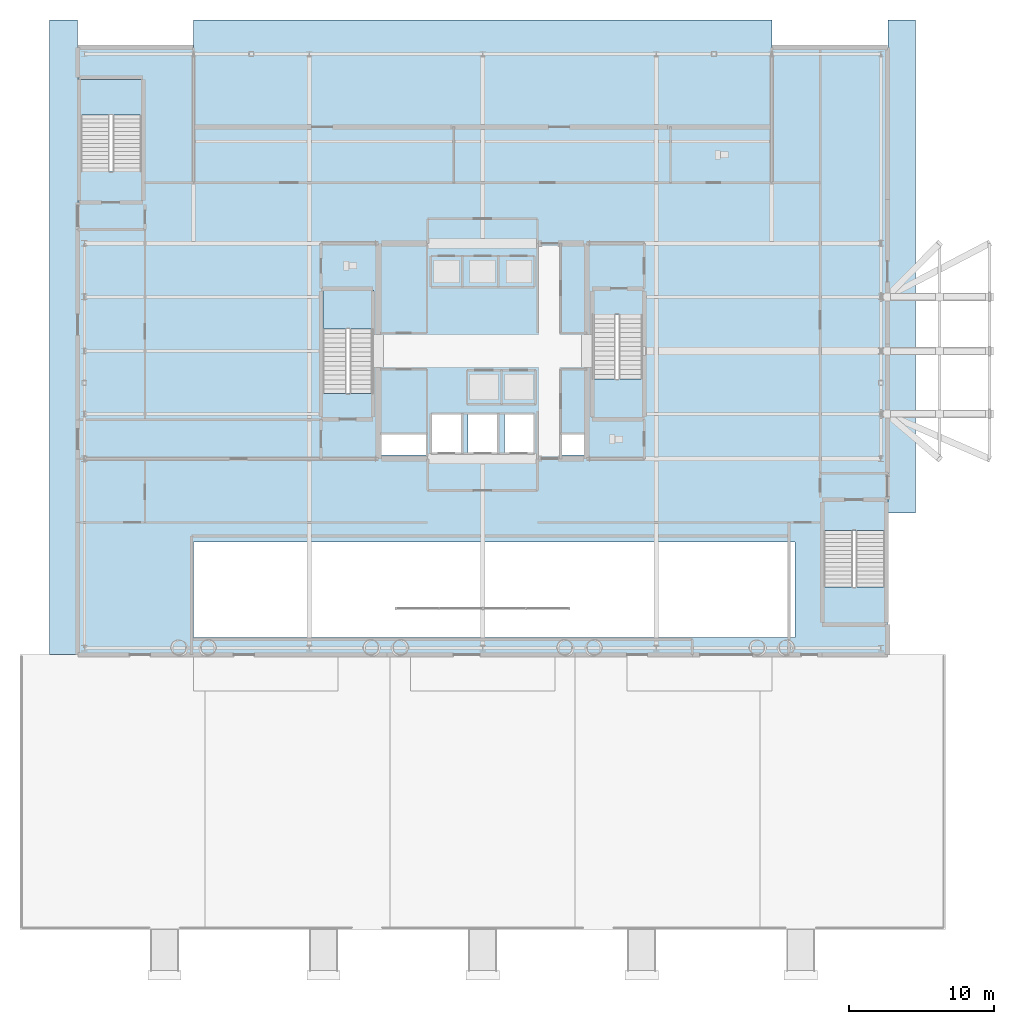
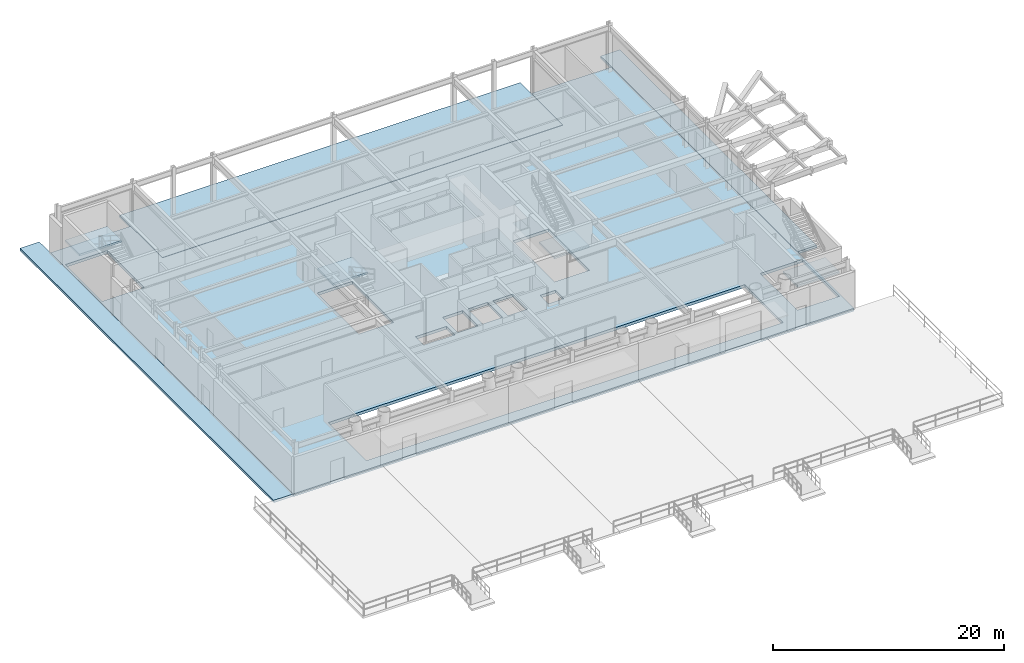
# One storey, part 9 of 19: 8 slabs, 4 elements without a shape of their own.
"""IFC4 building model written with IfcOpenShell, lengths in metres."""

from ifc_helpers import new_model, si_unit, direction, frame, origin, place, context, subcontext, project, spatial, polyline, outline, extrude, material, layer, layer_set, type_object, element, aggregate, save


model = new_model("IFC4")

# Units and contexts
model_context = context("Model", 3, precision=1e-05, world=origin(), true_north=direction((0.0, 1.0)))
body_context = subcontext(model_context, "Body", "Model", "MODEL_VIEW")
ifc_project = project(units=[si_unit("LENGTHUNIT", "METRE"), si_unit("AREAUNIT", "SQUARE_METRE"), si_unit("VOLUMEUNIT", "CUBIC_METRE"), si_unit("PLANEANGLEUNIT", "RADIAN"), si_unit("MASSUNIT", "GRAM", prefix="KILO")], contexts=[model_context])

# Site, building, storey
site_placement = place(None, origin())
site = spatial("IfcSite", under=ifc_project, at=site_placement, CompositionType="ELEMENT")
building_placement = place(site_placement, origin())
building = spatial("IfcBuilding", under=site, at=building_placement, Name="Veldorina Hangang Commons", CompositionType="ELEMENT")
storey_placement = place(building_placement, origin())
storey = spatial("IfcBuildingStorey", under=building, at=storey_placement, Name="L00", CompositionType="ELEMENT", Elevation=0.0)

# Slab
ifc_material_1 = material(Name="Concrete C45/55", Category="concrete")
ifc_layer_1 = layer(ifc_material_1, 0.300048828125)
ifc_layer_set_1 = layer_set([ifc_layer_1], Name="Concrete C45/55")
slab_type_1 = type_object("IfcSlabType", Name="SL-FLR-300", PredefinedType="FLOOR", material=ifc_layer_set_1)
slab_1_placement = place(storey_placement, frame((0.0, 0.0, -0.300048828125)))
element("IfcSlab", 1, at=slab_1_placement, inside=storey, type_object=slab_type_1, Name="L00 podium structural floor slab", PredefinedType="FLOOR", context=body_context, shape_type="SweptSolid", body=[
    extrude(outline(polyline([(4.0, 3.0), (60.0, 3.0), (60.0, 45.0), (52.0, 45.0), (52.0, 39.5), (12.0, 39.5), (12.0, 45.0), (4.0, 45.0), (4.0, 3.0)]), holes=[polyline([(20.949951171875, 21.05810546875), (20.949951171875, 28.199951171875), (24.449951171875, 28.199951171875), (24.449951171875, 21.05810546875), (20.949951171875, 21.05810546875)]), polyline([(43.050048828125, 26.5419921875), (43.050048828125, 19.39990234375), (39.550048828125, 19.39990234375), (39.550048828125, 26.5419921875), (43.050048828125, 26.5419921875)]), polyline([(4.199951171875, 36.407958984375), (4.199951171875, 42.800048828125), (8.39990234375, 42.800048828125), (8.39990234375, 36.407958984375), (4.199951171875, 36.407958984375)]), polyline([(59.800048828125, 11.592041015625), (59.800048828125, 5.199951171875), (55.60009765625, 5.199951171875), (55.60009765625, 11.592041015625), (59.800048828125, 11.592041015625)]), polyline([(28.5, 19.60009765625), (30.5, 19.60009765625), (30.5, 17.0), (28.5, 17.0), (28.5, 19.60009765625)]), polyline([(31.0, 19.60009765625), (33.0, 19.60009765625), (33.0, 17.0), (31.0, 17.0), (31.0, 19.60009765625)]), polyline([(33.5, 19.60009765625), (35.5, 19.60009765625), (35.5, 17.0), (33.5, 17.0), (33.5, 19.60009765625)]), polyline([(25.0, 18.25), (28.10009765625, 18.25), (28.10009765625, 16.800048828125), (25.0, 16.800048828125), (25.0, 18.25)]), polyline([(37.449951171875, 18.25), (39.0, 18.25), (39.0, 16.800048828125), (37.449951171875, 16.800048828125), (37.449951171875, 18.25)]), polyline([(12.0, 10.800048828125), (53.60009765625, 10.800048828125), (53.60009765625, 4.199951171875), (12.0, 4.199951171875), (12.0, 10.800048828125)])]), origin(), (0.0, 0.0, 1.0), 0.300048828125),
])

# Stair, slab
ifc_material_2 = material(Name="Concrete C40/50", Category="concrete")
stair_type_1 = type_object("IfcStairType", Name="STR-DOG-1650-30R", PredefinedType="HALF_TURN_STAIR", material=ifc_material_2)
stair_1_placement = place(storey_placement, origin())
stair_1 = element("IfcStair", 2, at=stair_1_placement, inside=storey, type_object=stair_type_1, Name="L00 Exit stair ST-1", PredefinedType="HALF_TURN_STAIR")
ifc_layer_2 = layer(ifc_material_2, 0.199951171875)
ifc_layer_set_2 = layer_set([ifc_layer_2], Name="Concrete C40/50")
slab_type_2 = type_object("IfcSlabType", Name="SL-LND-200", PredefinedType="LANDING", material=ifc_layer_set_2)
slab_2_placement = place(storey_placement, frame((0.0, 0.0, 2.39990234375)))
slab_2 = element("IfcSlab", 3, at=slab_2_placement, type_object=slab_type_2, Name="ST-1 landing 1", PredefinedType="LANDING", context=body_context, shape_type="SweptSolid", body=[
    extrude(outline(polyline([(24.449951171875, 25.530029296875), (24.449951171875, 28.199951171875), (20.949951171875, 28.199951171875), (20.949951171875, 25.530029296875), (24.449951171875, 25.530029296875)])), origin(), (0.0, 0.0, 1.0), 0.2001953125),
])
aggregate(stair_1, [slab_2])

stair_2_placement = place(storey_placement, origin())
stair_2 = element("IfcStair", 4, at=stair_2_placement, inside=storey, type_object=stair_type_1, Name="L00 Exit stair ST-2", PredefinedType="HALF_TURN_STAIR")
slab_3_placement = place(storey_placement, frame((0.0, 0.0, 2.39990234375)))
slab_3 = element("IfcSlab", 5, at=slab_3_placement, type_object=slab_type_2, Name="ST-2 landing 1", PredefinedType="LANDING", context=body_context, shape_type="SweptSolid", body=[
    extrude(outline(polyline([(39.550048828125, 22.070068359375), (39.550048828125, 19.39990234375), (43.050048828125, 19.39990234375), (43.050048828125, 22.070068359375), (39.550048828125, 22.070068359375)])), origin(), (0.0, 0.0, 1.0), 0.2001953125),
])
aggregate(stair_2, [slab_3])

stair_type_2 = type_object("IfcStairType", Name="STR-DOG-2000-30R", PredefinedType="HALF_TURN_STAIR", material=ifc_material_2)
stair_3_placement = place(storey_placement, origin())
stair_3 = element("IfcStair", 6, at=stair_3_placement, inside=storey, type_object=stair_type_2, Name="L00 Exit stair ST-P1", PredefinedType="HALF_TURN_STAIR")
slab_4_placement = place(storey_placement, frame((0.0, 0.0, 2.39990234375)))
slab_4 = element("IfcSlab", 7, at=slab_4_placement, type_object=slab_type_2, Name="ST-P1 landing 1", PredefinedType="LANDING", context=body_context, shape_type="SweptSolid", body=[
    extrude(outline(polyline([(8.39990234375, 40.320068359375), (8.39990234375, 42.800048828125), (4.199951171875, 42.800048828125), (4.199951171875, 40.320068359375), (8.39990234375, 40.320068359375)])), origin(), (0.0, 0.0, 1.0), 0.2001953125),
])
aggregate(stair_3, [slab_4])

stair_4_placement = place(storey_placement, origin())
stair_4 = element("IfcStair", 8, at=stair_4_placement, inside=storey, type_object=stair_type_2, Name="L00 Exit stair ST-P2", PredefinedType="HALF_TURN_STAIR")
slab_5_placement = place(storey_placement, frame((0.0, 0.0, 2.39990234375)))
slab_5 = element("IfcSlab", 9, at=slab_5_placement, type_object=slab_type_2, Name="ST-P2 landing 1", PredefinedType="LANDING", context=body_context, shape_type="SweptSolid", body=[
    extrude(outline(polyline([(55.60009765625, 7.679931640625), (55.60009765625, 5.199951171875), (59.800048828125, 5.199951171875), (59.800048828125, 7.679931640625), (55.60009765625, 7.679931640625)])), origin(), (0.0, 0.0, 1.0), 0.2001953125),
])
aggregate(stair_4, [slab_5])

# Slabs
ifc_material_3 = material(Name="Concrete C35/45", Category="concrete")
ifc_layer_3 = layer(ifc_material_3, 0.25)
ifc_layer_set_3 = layer_set([ifc_layer_3], Name="Concrete C35/45")
slab_type_3 = type_object("IfcSlabType", Name="SL-PAV-250", PredefinedType="USERDEFINED", material=ifc_layer_set_3)
slab_6_placement = place(storey_placement, frame((0.0, 0.0, -0.25)))
element("IfcSlab", 10, at=slab_6_placement, inside=storey, type_object=slab_type_3, Name="L00 west grade walkway paving", ObjectType="PAVING", PredefinedType="USERDEFINED", context=body_context, shape_type="SweptSolid", body=[
    extrude(outline(polyline([(2.050048828125, 3.0), (3.97998046875, 3.0), (3.97998046875, 46.89990234375), (2.050048828125, 46.89990234375), (2.050048828125, 3.0)])), origin(), (0.0, 0.0, 1.0), 0.25),
])
slab_7_placement = place(storey_placement, frame((0.0, 0.0, -0.25)))
element("IfcSlab", 11, at=slab_7_placement, inside=storey, type_object=slab_type_3, Name="L00 north grade walkway paving", ObjectType="PAVING", PredefinedType="USERDEFINED", context=body_context, shape_type="SweptSolid", body=[
    extrude(outline(polyline([(12.0, 39.52001953125), (52.0, 39.52001953125), (52.0, 46.89990234375), (12.0, 46.89990234375), (12.0, 39.52001953125)])), origin(), (0.0, 0.0, 1.0), 0.25),
])
slab_8_placement = place(storey_placement, frame((0.0, 0.0, -0.25)))
element("IfcSlab", 12, at=slab_8_placement, inside=storey, type_object=slab_type_3, Name="L00 east grade walkway paving", ObjectType="PAVING", PredefinedType="USERDEFINED", context=body_context, shape_type="SweptSolid", body=[
    extrude(outline(polyline([(60.02001953125, 12.800048828125), (61.949951171875, 12.800048828125), (61.949951171875, 46.89990234375), (60.02001953125, 46.89990234375), (60.02001953125, 12.800048828125)])), origin(), (0.0, 0.0, 1.0), 0.25),
])

save(model, "model.ifc")
